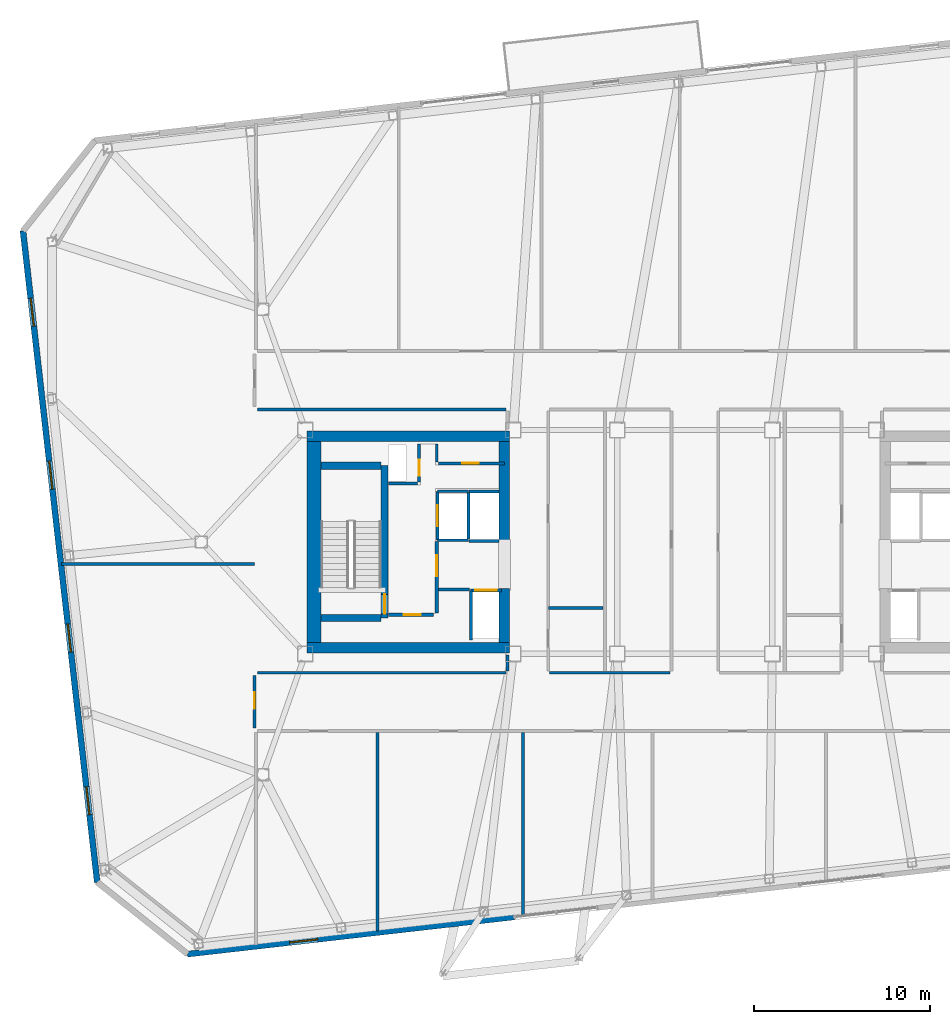
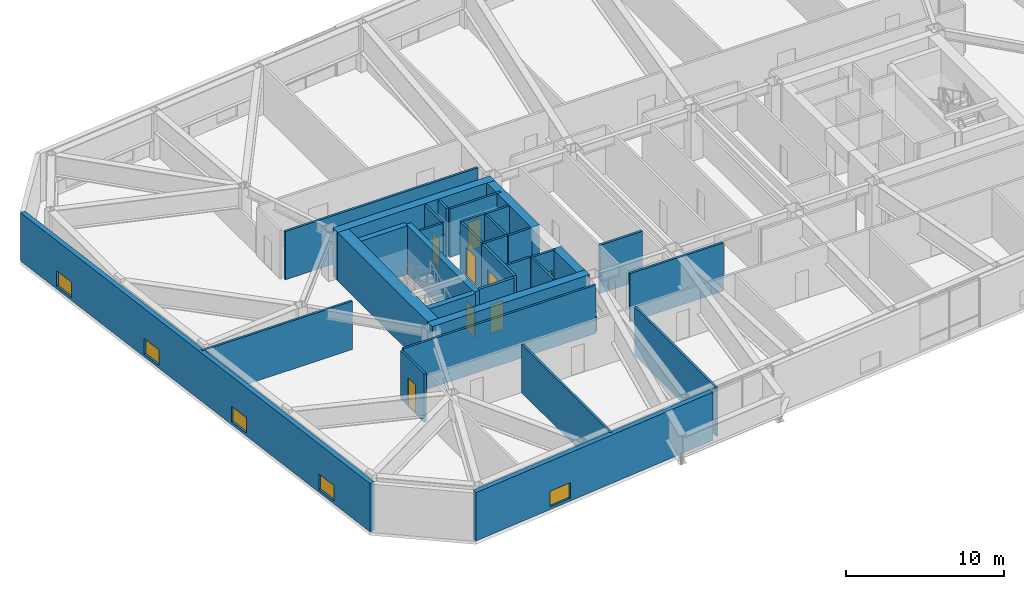
# One storey, part 12 of 20: 34 walls, 8 doors, 5 windows, 13 openings.
"""IFC4 building model written with IfcOpenShell, lengths in metres."""

from ifc_helpers import new_model, si_unit, direction, frame, frame_2d, origin, place, context, subcontext, project, spatial, rectangle, extrude, material, layer, layer_set, type_object, element, fill, save


model = new_model("IFC4")

# Units and contexts
model_context = context("Model", 3, precision=1e-05, world=origin(), true_north=direction((0.0, 1.0)))
body_context = subcontext(model_context, "Body", "Model", "MODEL_VIEW")
ifc_project = project(units=[si_unit("LENGTHUNIT", "METRE"), si_unit("AREAUNIT", "SQUARE_METRE"), si_unit("VOLUMEUNIT", "CUBIC_METRE"), si_unit("PLANEANGLEUNIT", "RADIAN"), si_unit("MASSUNIT", "GRAM", prefix="KILO")], contexts=[model_context])

# Site, building, storey
site_placement = place(None, origin())
site = spatial("IfcSite", under=ifc_project, at=site_placement, CompositionType="ELEMENT")
building_placement = place(site_placement, origin())
building = spatial("IfcBuilding", under=site, at=building_placement, Name="Tavrogorsk Clinical Tower", CompositionType="ELEMENT")
storey_placement = place(building_placement, frame((0.0, 0.0, 214.199951171875)))
storey = spatial("IfcBuildingStorey", under=building, at=storey_placement, Name="L49", CompositionType="ELEMENT", Elevation=214.199951171875)

# Wall, opening, door
ifc_material_1 = material(Name="Concrete B60", Category="concrete")
ifc_layer_1 = layer(ifc_material_1, 0.199951171875)
ifc_layer_set_1 = layer_set([ifc_layer_1], Name="Concrete B60")
wall_type_1 = type_object("IfcWallType", Name="CoreFireWall_200", PredefinedType="SOLIDWALL", material=ifc_layer_set_1)
wall_1_placement = place(storey_placement, frame((-17.3798828125, -4.139892578125, 0.0), z_axis=(0.0, 0.0, 1.0), x_axis=(1.0, 0.0, 0.0)))
wall_1 = element("IfcWall", 1, at=wall_1_placement, inside=storey, type_object=wall_type_1, Name="L49 Core West South Core Room Fire Wall", PredefinedType="SOLIDWALL", context=body_context, shape_type="SweptSolid", body=[
    extrude(rectangle(XDim=2.554931640625, YDim=0.199951171875, at=frame_2d((1.27734375, 0.0))), origin(), (0.0, 0.0, 1.0), 3.739990234375),
])
opening_1_placement = place(wall_1_placement, frame((0.8798828125, 0.0, 0.0)))
opening_1 = element("IfcOpeningElement", 2, at=opening_1_placement, cuts=wall_1, Name="Opening ID-02", PredefinedType="OPENING", context=body_context, shape_type="SweptSolid", body=[
    extrude(rectangle(XDim=0.949951171875, YDim=2.199951171875, at=frame_2d((0.47509765625, 1.10009765625))), frame((0.0, 0.10986328125, 0.0), z_axis=(0.0, -1.0, 0.0), x_axis=(1.0, 0.0, 0.0)), (0.0, 0.0, 1.0), 0.219970703125),
])
ifc_material_2 = material(Name="Laminated timber leaf on aluminium frame", Category="wood")
door_type_1 = type_object("IfcDoorType", Name="InteriorDoor_ID02_950", OperationType="NOTDEFINED", PredefinedType="DOOR", material=ifc_material_2)
door_1_placement = place(opening_1_placement, origin())
door_1 = element("IfcDoor", 3, at=door_1_placement, inside=storey, type_object=door_type_1, Name="L49 Core West South Core Room Door", OperationType="SINGLE_SWING_RIGHT", OverallHeight=2.199951171875, OverallWidth=0.949951171875, PredefinedType="DOOR", context=body_context, shape_type="SweptSolid", body=[
    extrude(rectangle(XDim=0.949951171875, YDim=2.199951171875, at=frame_2d((0.47509765625, 1.10009765625))), frame((0.0, 0.02490234375, 0.0), z_axis=(0.0, -1.0, 0.0), x_axis=(1.0, 0.0, 0.0)), (0.0, 0.0, 1.0), 0.050048828125),
])
fill(opening_1, door_1)

wall_2_placement = place(storey_placement, frame((-14.639892578125, -4.034912109375, 0.0), z_axis=(0.0, 0.0, 1.0), x_axis=(0.0, 1.0, 0.0)))
wall_2 = element("IfcWall", 4, at=wall_2_placement, inside=storey, type_object=wall_type_1, Name="L49 Core West Firefighting Lobby Fire Wall", PredefinedType="SOLIDWALL", context=body_context, shape_type="SweptSolid", body=[
    extrude(rectangle(XDim=4.074951171875, YDim=0.199951171875, at=frame_2d((2.03759765625, 0.0))), origin(), (0.0, 0.0, 1.0), 3.739990234375),
])
opening_2_placement = place(wall_2_placement, frame((2.090087890625, 0.0, 0.0)))
opening_2 = element("IfcOpeningElement", 5, at=opening_2_placement, cuts=wall_2, Name="Opening FD-01", PredefinedType="OPENING", context=body_context, shape_type="SweptSolid", body=[
    extrude(rectangle(XDim=1.199951171875, YDim=2.199951171875, at=frame_2d((0.60009765625, 1.10009765625))), frame((0.0, 0.10986328125, 0.0), z_axis=(0.0, -1.0, 0.0), x_axis=(1.0, 0.0, 0.0)), (0.0, 0.0, 1.0), 0.219970703125),
])
ifc_material_3 = material(Name="Galvanised steel fire-rated door assembly", Category="steel")
door_type_2 = type_object("IfcDoorType", Name="FireDoor_FD01_1200", OperationType="NOTDEFINED", PredefinedType="DOOR", material=ifc_material_3)
door_2_placement = place(opening_2_placement, origin())
door_2 = element("IfcDoor", 6, at=door_2_placement, inside=storey, type_object=door_type_2, Name="L49 Core West Firefighting Lobby Entry Door", OperationType="SINGLE_SWING_RIGHT", OverallHeight=2.199951171875, OverallWidth=1.199951171875, PredefinedType="DOOR", context=body_context, shape_type="SweptSolid", body=[
    extrude(rectangle(XDim=1.199951171875, YDim=2.199951171875, at=frame_2d((0.60009765625, 1.10009765625))), frame((0.0, 0.02490234375, 0.0), z_axis=(0.0, -1.0, 0.0), x_axis=(1.0, 0.0, 0.0)), (0.0, 0.0, 1.0), 0.050048828125),
])
fill(opening_2, door_2)

# Wall
ifc_material_4 = material(Name="Lightweight concrete blockwork B15", Category="masonry")
ifc_layer_2 = layer(ifc_material_4, 0.159912109375)
ifc_layer_set_2 = layer_set([ifc_layer_2], Name="Lightweight concrete blockwork B15")
wall_type_2 = type_object("IfcWallType", Name="PartitionWall_160", PredefinedType="PARTITIONING", material=ifc_layer_set_2)
wall_3_placement = place(storey_placement, frame((-14.534912109375, -2.699951171875, 0.0), z_axis=(0.0, 0.0, 1.0), x_axis=(1.0, 0.0, 0.0)))
element("IfcWall", 7, at=wall_3_placement, inside=storey, type_object=wall_type_2, Name="L49 Core West Freed Low-Bank North Partition", PredefinedType="PARTITIONING", context=body_context, shape_type="SweptSolid", body=[
    extrude(rectangle(XDim=1.760009765625, YDim=0.159912109375, at=frame_2d((0.8798828125, 0.0))), origin(), (0.0, 0.0, 1.0), 3.739990234375),
])

# Wall, opening, door
wall_4_placement = place(storey_placement, frame((-14.554931640625, 4.4599609375, 0.0), z_axis=(0.0, 0.0, 1.0), x_axis=(1.0, 0.0, 0.0)))
wall_4 = element("IfcWall", 8, at=wall_4_placement, inside=storey, type_object=wall_type_2, Name="L49 Core West Pneumatic Dispatch South Wall", PredefinedType="PARTITIONING", context=body_context, shape_type="SweptSolid", body=[
    extrude(rectangle(XDim=3.7548828125, YDim=0.159912109375, at=frame_2d((1.87744140625, 0.0))), origin(), (0.0, 0.0, 1.0), 3.739990234375),
])
opening_3_placement = place(wall_4_placement, frame((1.35009765625, 0.0, 0.0)))
opening_3 = element("IfcOpeningElement", 9, at=opening_3_placement, cuts=wall_4, Name="Opening ID-02", PredefinedType="OPENING", context=body_context, shape_type="SweptSolid", body=[
    extrude(rectangle(XDim=0.949951171875, YDim=2.199951171875, at=frame_2d((0.47509765625, 1.10009765625))), frame((0.0, 0.08984375, 0.0), z_axis=(0.0, -1.0, 0.0), x_axis=(1.0, 0.0, 0.0)), (0.0, 0.0, 1.0), 0.179931640625),
])
door_3_placement = place(opening_3_placement, origin())
door_3 = element("IfcDoor", 10, at=door_3_placement, inside=storey, type_object=door_type_1, Name="L49 Core West Pneumatic Dispatch Door", OperationType="SINGLE_SWING_LEFT", OverallHeight=2.199951171875, OverallWidth=0.949951171875, PredefinedType="DOOR", context=body_context, shape_type="SweptSolid", body=[
    extrude(rectangle(XDim=0.949951171875, YDim=2.199951171875, at=frame_2d((0.47509765625, 1.10009765625))), frame((0.0, 0.02490234375, 0.0), z_axis=(0.0, -1.0, 0.0), x_axis=(1.0, 0.0, 0.0)), (0.0, 0.0, 1.0), 0.050048828125),
])
fill(opening_3, door_3)

# Wall
wall_5_placement = place(storey_placement, frame((-14.639892578125, 4.544921875, 0.0), z_axis=(0.0, 0.0, 1.0), x_axis=(0.0, 1.0, 0.0)))
element("IfcWall", 11, at=wall_5_placement, inside=storey, type_object=wall_type_2, Name="L49 Core West Pneumatic Dispatch East Wall", PredefinedType="PARTITIONING", context=body_context, shape_type="SweptSolid", body=[
    extrude(rectangle(XDim=1.01513671875, YDim=0.159912109375, at=frame_2d((0.507568359375, 0.0))), origin(), (0.0, 0.0, 1.0), 3.739990234375),
])

# Wall, opening, door
wall_6_placement = place(storey_placement, frame((-24.97998046875, -10.56494140625, 0.0), z_axis=(0.0, 0.0, 1.0), x_axis=(0.0, 1.0, 0.0)))
wall_6 = element("IfcWall", 12, at=wall_6_placement, inside=storey, type_object=wall_type_2, Name="L49 Corridor Partition 01", PredefinedType="PARTITIONING", context=body_context, shape_type="SweptSolid", body=[
    extrude(rectangle(XDim=2.97998046875, YDim=0.159912109375, at=frame_2d((1.489990234375, 0.0))), origin(), (0.0, 0.0, 1.0), 3.739990234375),
])
opening_4_placement = place(wall_6_placement, frame((1.10009765625, 0.0, 0.0)))
opening_4 = element("IfcOpeningElement", 13, at=opening_4_placement, cuts=wall_6, Name="Opening ID-02", PredefinedType="OPENING", context=body_context, shape_type="SweptSolid", body=[
    extrude(rectangle(XDim=0.949951171875, YDim=2.199951171875, at=frame_2d((0.47509765625, 1.10009765625))), frame((0.0, 0.08984375, 0.0), z_axis=(0.0, -1.0, 0.0), x_axis=(1.0, 0.0, 0.0)), (0.0, 0.0, 1.0), 0.179931640625),
])
door_4_placement = place(opening_4_placement, origin())
door_4 = element("IfcDoor", 14, at=door_4_placement, inside=storey, type_object=door_type_1, Name="L49 W Solarium Day Room & Lounge 1 Door", OperationType="SINGLE_SWING_LEFT", OverallHeight=2.199951171875, OverallWidth=0.949951171875, PredefinedType="DOOR", context=body_context, shape_type="SweptSolid", body=[
    extrude(rectangle(XDim=0.949951171875, YDim=2.199951171875, at=frame_2d((0.47509765625, 1.10009765625))), frame((0.0, 0.02490234375, 0.0), z_axis=(0.0, -1.0, 0.0), x_axis=(1.0, 0.0, 0.0)), (0.0, 0.0, 1.0), 0.050048828125),
])
fill(opening_4, door_4)

# Walls
wall_7_placement = place(storey_placement, frame((-24.81494140625, -7.419921875, 0.0), z_axis=(0.0, 0.0, 1.0), x_axis=(1.0, 0.0, 0.0)))
element("IfcWall", 15, at=wall_7_placement, inside=storey, type_object=wall_type_2, Name="L49 Corridor Partition 02", PredefinedType="PARTITIONING", context=body_context, shape_type="SweptSolid", body=[
    extrude(rectangle(XDim=14.099853515625, YDim=0.159912109375, at=frame_2d((7.0498046875, 0.0))), origin(), (0.0, 0.0, 1.0), 3.739990234375),
])
wall_8_placement = place(storey_placement, frame((-10.6298828125, -7.3349609375, 0.0), z_axis=(0.0, 0.0, 1.0), x_axis=(0.0, 1.0, 0.0)))
element("IfcWall", 16, at=wall_8_placement, inside=storey, type_object=wall_type_2, Name="L49 Corridor Partition 03", PredefinedType="PARTITIONING", context=body_context, shape_type="SweptSolid", body=[
    extrude(rectangle(XDim=0.9150390625, YDim=0.159912109375, at=frame_2d((0.45751953125, 0.0))), origin(), (0.0, 0.0, 1.0), 1.53515625),
])
wall_9_placement = place(storey_placement, frame((-10.715087890625, 7.52001953125, 0.0), z_axis=(0.0, 0.0, 1.0), x_axis=(-1.0, 0.0, 0.0)))
element("IfcWall", 17, at=wall_9_placement, inside=storey, type_object=wall_type_2, Name="L49 Corridor Partition 05", PredefinedType="PARTITIONING", context=body_context, shape_type="SweptSolid", body=[
    extrude(rectangle(XDim=14.099853515625, YDim=0.159912109375, at=frame_2d((7.0498046875, 0.0))), origin(), (0.0, 0.0, 1.0), 3.739990234375),
])
wall_10_placement = place(storey_placement, frame((-8.235107421875, -7.419921875, 0.0), z_axis=(0.0, 0.0, 1.0), x_axis=(1.0, 0.0, 0.0)))
element("IfcWall", 18, at=wall_10_placement, inside=storey, type_object=wall_type_2, Name="L49 Corridor Partition 22", PredefinedType="PARTITIONING", context=body_context, shape_type="SweptSolid", body=[
    extrude(rectangle(XDim=6.820068359375, YDim=0.159912109375, at=frame_2d((3.41015625, 0.0))), origin(), (0.0, 0.0, 1.0), 3.739990234375),
])
wall_11_placement = place(storey_placement, frame((-18.0, -22.087158203125, 0.0), z_axis=(0.0, 0.0, 1.0), x_axis=(0.0, 1.0, 0.0)))
element("IfcWall", 19, at=wall_11_placement, inside=storey, type_object=wall_type_2, Name="L49 South Room Partition 1", PredefinedType="PARTITIONING", context=body_context, shape_type="SweptSolid", body=[
    extrude(rectangle(XDim=11.272216796875, YDim=0.159912109375, at=frame_2d((5.63623046875, 0.0))), origin(), (0.0, 0.0, 1.0), 3.739990234375),
])
wall_12_placement = place(storey_placement, frame((-9.75, -21.147216796875, 0.0), z_axis=(0.0, 0.0, 1.0), x_axis=(0.0, 1.0, 0.0)))
element("IfcWall", 20, at=wall_12_placement, inside=storey, type_object=wall_type_2, Name="L49 South Sub-Partition 2", PredefinedType="PARTITIONING", context=body_context, shape_type="SweptSolid", body=[
    extrude(rectangle(XDim=10.332275390625, YDim=0.159912109375, at=frame_2d((5.166015625, 0.0))), origin(), (0.0, 0.0, 1.0), 3.739990234375),
])
wall_13_placement = place(storey_placement, frame((-35.944580078125, -1.25, 0.0), z_axis=(0.0, 0.0, 1.0), x_axis=(1.0, 0.0, 0.0)))
element("IfcWall", 21, at=wall_13_placement, inside=storey, type_object=wall_type_2, Name="L49 W Wing Divider 1", PredefinedType="PARTITIONING", context=body_context, shape_type="SweptSolid", body=[
    extrude(rectangle(XDim=10.964599609375, YDim=0.159912109375, at=frame_2d((5.482421875, 0.0))), origin(), (0.0, 0.0, 1.0), 3.739990234375),
])
ifc_material_5 = material(Name="Lightweight concrete blockwork B20", Category="masonry")
ifc_layer_3 = layer(ifc_material_5, 0.179931640625)
ifc_layer_set_3 = layer_set([ifc_layer_3], Name="Lightweight concrete blockwork B20")
wall_type_3 = type_object("IfcWallType", Name="PartitionWall_180", PredefinedType="PARTITIONING", material=ifc_layer_set_3)
wall_14_placement = place(storey_placement, frame((-8.31494140625, -3.75, 0.0), z_axis=(0.0, 0.0, 1.0), x_axis=(1.0, 0.0, 0.0)))
element("IfcWall", 22, at=wall_14_placement, inside=storey, type_object=wall_type_3, Name="L49 Central Spine Partition 3", PredefinedType="PARTITIONING", context=body_context, shape_type="SweptSolid", body=[
    extrude(rectangle(XDim=3.119873046875, YDim=0.179931640625, at=frame_2d((1.56005859375, 0.0))), origin(), (0.0, 0.0, 1.0), 3.739990234375),
])

# Wall, opening, window
ifc_material_6 = material(Name="Precast concrete B45 with limestone cladding", Category="masonry")
ifc_layer_4 = layer(ifc_material_6, 0.340087890625)
ifc_layer_set_4 = layer_set([ifc_layer_4], Name="Precast concrete B45 with limestone cladding")
wall_type_4 = type_object("IfcWallType", Name="PrecastLimestoneWall_340", PredefinedType="STANDARD", material=ifc_layer_set_4)
wall_15_placement = place(storey_placement, frame((-28.78271484375, -23.38623046875, 0.0), z_axis=(0.0, 0.0, 1.0), x_axis=(0.993572271362, 0.113199565282, 0.0)))
wall_15 = element("IfcWall", 23, at=wall_15_placement, inside=storey, type_object=wall_type_4, Name="L49 S Limestone Facade Wall 1", PredefinedType="STANDARD", context=body_context, shape_type="SweptSolid", body=[
    extrude(rectangle(XDim=18.6513671875, YDim=0.340087890625, at=frame_2d((9.32568359375, 0.0))), origin(), (0.0, 0.0, 1.0), 3.739990234375),
])
opening_5_placement = place(wall_15_placement, frame((5.82861328125, 0.0, 0.219970703125)))
opening_5 = element("IfcOpeningElement", 24, at=opening_5_placement, cuts=wall_15, Name="Opening WN-09", PredefinedType="OPENING", context=body_context, shape_type="SweptSolid", body=[
    extrude(rectangle(XDim=1.60009765625, YDim=1.199951171875, at=frame_2d((0.800048828125, 0.60009765625))), frame((0.0, 0.179931640625, 0.0), z_axis=(0.0, -1.0, 0.0), x_axis=(1.0, 0.0, 0.0)), (0.0, 0.0, 1.0), 0.360107421875),
])
ifc_material_7 = material(Name="Thermally broken aluminium frame and triple IGU", Category="aluminium")
window_type = type_object("IfcWindowType", Name="LowHeadTransWin_1600x1200", PartitioningType="DOUBLE_PANEL_VERTICAL", PredefinedType="WINDOW", material=ifc_material_7)
window_1_placement = place(opening_5_placement, origin())
window_1 = element("IfcWindow", 25, at=window_1_placement, inside=storey, type_object=window_type, Name="L49 S Chicago Window 02", OverallHeight=1.199951171875, OverallWidth=1.60009765625, PartitioningType="SINGLE_PANEL", PredefinedType="WINDOW", context=body_context, shape_type="SweptSolid", body=[
    extrude(rectangle(XDim=1.60009765625, YDim=1.199951171875, at=frame_2d((0.800048828125, 0.60009765625))), frame((0.0, 0.030029296875, 0.0), z_axis=(0.0, -1.0, 0.0), x_axis=(1.0, 0.0, 0.0)), (0.0, 0.0, 1.0), 0.06005859375),
])
fill(opening_5, window_1)

# Wall, openings, windows
wall_16_placement = place(storey_placement, frame((-38.1181640625, 17.65087890625, 0.0), z_axis=(0.0, 0.0, 1.0), x_axis=(0.11320360501, -0.9935718111, 0.0)))
wall_16 = element("IfcWall", 26, at=wall_16_placement, inside=storey, type_object=wall_type_4, Name="L49 W Pleated Limestone Wing Wall", PredefinedType="STANDARD", context=body_context, shape_type="SweptSolid", body=[
    extrude(rectangle(XDim=37.199951171875, YDim=0.340087890625, at=frame_2d((18.60009765625, 0.0))), origin(), (0.0, 0.0, 1.0), 3.739990234375),
])
opening_6_placement = place(wall_16_placement, frame((3.85009765625, 0.0, 0.219970703125)))
opening_6 = element("IfcOpeningElement", 27, at=opening_6_placement, cuts=wall_16, Name="Opening WN-09", PredefinedType="OPENING", context=body_context, shape_type="SweptSolid", body=[
    extrude(rectangle(XDim=1.60009765625, YDim=1.199951171875, at=frame_2d((0.800048828125, 0.60009765625))), frame((0.0, 0.179931640625, 0.0), z_axis=(0.0, -1.0, 0.0), x_axis=(1.0, 0.0, 0.0)), (0.0, 0.0, 1.0), 0.360107421875),
])
opening_7_placement = place(wall_16_placement, frame((13.14990234375, 0.0, 0.219970703125)))
opening_7 = element("IfcOpeningElement", 28, at=opening_7_placement, cuts=wall_16, Name="Opening WN-09", PredefinedType="OPENING", context=body_context, shape_type="SweptSolid", body=[
    extrude(rectangle(XDim=1.60009765625, YDim=1.199951171875, at=frame_2d((0.800048828125, 0.60009765625))), frame((0.0, 0.179931640625, 0.0), z_axis=(0.0, -1.0, 0.0), x_axis=(1.0, 0.0, 0.0)), (0.0, 0.0, 1.0), 0.360107421875),
])
opening_8_placement = place(wall_16_placement, frame((22.449951171875, 0.0, 0.219970703125)))
opening_8 = element("IfcOpeningElement", 29, at=opening_8_placement, cuts=wall_16, Name="Opening WN-09", PredefinedType="OPENING", context=body_context, shape_type="SweptSolid", body=[
    extrude(rectangle(XDim=1.60009765625, YDim=1.199951171875, at=frame_2d((0.800048828125, 0.60009765625))), frame((0.0, 0.179931640625, 0.0), z_axis=(0.0, -1.0, 0.0), x_axis=(1.0, 0.0, 0.0)), (0.0, 0.0, 1.0), 0.360107421875),
])
opening_9_placement = place(wall_16_placement, frame((31.75, 0.0, 0.219970703125)))
opening_9 = element("IfcOpeningElement", 30, at=opening_9_placement, cuts=wall_16, Name="Opening WN-09", PredefinedType="OPENING", context=body_context, shape_type="SweptSolid", body=[
    extrude(rectangle(XDim=1.60009765625, YDim=1.199951171875, at=frame_2d((0.800048828125, 0.60009765625))), frame((0.0, 0.179931640625, 0.0), z_axis=(0.0, -1.0, 0.0), x_axis=(1.0, 0.0, 0.0)), (0.0, 0.0, 1.0), 0.360107421875),
])
window_2_placement = place(opening_6_placement, origin())
window_2 = element("IfcWindow", 31, at=window_2_placement, inside=storey, type_object=window_type, Name="L49 W Pleat Slot Window 1", OverallHeight=1.199951171875, OverallWidth=1.60009765625, PartitioningType="SINGLE_PANEL", PredefinedType="WINDOW", context=body_context, shape_type="SweptSolid", body=[
    extrude(rectangle(XDim=1.60009765625, YDim=1.199951171875, at=frame_2d((0.800048828125, 0.60009765625))), frame((0.0, 0.030029296875, 0.0), z_axis=(0.0, -1.0, 0.0), x_axis=(1.0, 0.0, 0.0)), (0.0, 0.0, 1.0), 0.06005859375),
])
fill(opening_6, window_2)
window_3_placement = place(opening_7_placement, origin())
window_3 = element("IfcWindow", 32, at=window_3_placement, inside=storey, type_object=window_type, Name="L49 W Pleat Slot Window 2", OverallHeight=1.199951171875, OverallWidth=1.60009765625, PartitioningType="SINGLE_PANEL", PredefinedType="WINDOW", context=body_context, shape_type="SweptSolid", body=[
    extrude(rectangle(XDim=1.60009765625, YDim=1.199951171875, at=frame_2d((0.800048828125, 0.60009765625))), frame((0.0, 0.030029296875, 0.0), z_axis=(0.0, -1.0, 0.0), x_axis=(1.0, 0.0, 0.0)), (0.0, 0.0, 1.0), 0.06005859375),
])
fill(opening_7, window_3)
window_4_placement = place(opening_8_placement, origin())
window_4 = element("IfcWindow", 33, at=window_4_placement, inside=storey, type_object=window_type, Name="L49 W Pleat Slot Window 3", OverallHeight=1.199951171875, OverallWidth=1.60009765625, PartitioningType="SINGLE_PANEL", PredefinedType="WINDOW", context=body_context, shape_type="SweptSolid", body=[
    extrude(rectangle(XDim=1.60009765625, YDim=1.199951171875, at=frame_2d((0.800048828125, 0.60009765625))), frame((0.0, 0.030029296875, 0.0), z_axis=(0.0, -1.0, 0.0), x_axis=(1.0, 0.0, 0.0)), (0.0, 0.0, 1.0), 0.06005859375),
])
fill(opening_8, window_4)
window_5_placement = place(opening_9_placement, origin())
window_5 = element("IfcWindow", 34, at=window_5_placement, inside=storey, type_object=window_type, Name="L49 W Pleat Slot Window 4", OverallHeight=1.199951171875, OverallWidth=1.60009765625, PartitioningType="SINGLE_PANEL", PredefinedType="WINDOW", context=body_context, shape_type="SweptSolid", body=[
    extrude(rectangle(XDim=1.60009765625, YDim=1.199951171875, at=frame_2d((0.800048828125, 0.60009765625))), frame((0.0, 0.030029296875, 0.0), z_axis=(0.0, -1.0, 0.0), x_axis=(1.0, 0.0, 0.0)), (0.0, 0.0, 1.0), 0.06005859375),
])
fill(opening_9, window_5)

# Wall, opening, door
ifc_material_8 = material(Name="Lightweight concrete blockwork B25", Category="masonry")
ifc_layer_5 = layer(ifc_material_8, 0.159912109375)
ifc_layer_set_5 = layer_set([ifc_layer_5], Name="Lightweight concrete blockwork B25")
wall_type_5 = type_object("IfcWallType", Name="ShaftWall_160", PredefinedType="PARTITIONING", material=ifc_layer_set_5)
wall_17_placement = place(storey_placement, frame((-14.60009765625, 0.1201171875, 0.0), z_axis=(0.0, 0.0, 1.0), x_axis=(0.0, 1.0, 0.0)))
wall_17 = element("IfcWall", 35, at=wall_17_placement, inside=storey, type_object=wall_type_5, Name="L49 FFL-W Firefighting Lift Front Wall", PredefinedType="PARTITIONING", context=body_context, shape_type="SweptSolid", body=[
    extrude(rectangle(XDim=2.739990234375, YDim=0.159912109375, at=frame_2d((1.3701171875, 0.0))), origin(), (0.0, 0.0, 1.0), 3.739990234375),
])
opening_10_placement = place(wall_17_placement, frame((0.77001953125, 0.0, 0.0)))
opening_10 = element("IfcOpeningElement", 36, at=opening_10_placement, cuts=wall_17, Name="Opening LD", PredefinedType="OPENING", context=body_context, shape_type="SweptSolid", body=[
    extrude(rectangle(XDim=1.199951171875, YDim=2.199951171875, at=frame_2d((0.60009765625, 1.10009765625))), frame((0.0, 0.08984375, 0.0), z_axis=(0.0, -1.0, 0.0), x_axis=(1.0, 0.0, 0.0)), (0.0, 0.0, 1.0), 0.179931640625),
])
ifc_material_9 = material(Name="Brushed stainless steel AISI 304 sliding doors", Category="steel")
door_type_3 = type_object("IfcDoorType", Name="LiftLandingDoor_LD_1200", OperationType="SLIDING_TO_LEFT", PredefinedType="DOOR", material=ifc_material_9)
door_5_placement = place(opening_10_placement, origin())
door_5 = element("IfcDoor", 37, at=door_5_placement, inside=storey, type_object=door_type_3, Name="L49 FFL-W Sliding Lift Landing Door", OperationType="SLIDING_TO_LEFT", OverallHeight=2.199951171875, OverallWidth=1.199951171875, PredefinedType="DOOR", context=body_context, shape_type="SweptSolid", body=[
    extrude(rectangle(XDim=1.199951171875, YDim=2.199951171875, at=frame_2d((0.60009765625, 1.10009765625))), frame((0.0, 0.02490234375, 0.0), z_axis=(0.0, -1.0, 0.0), x_axis=(1.0, 0.0, 0.0)), (0.0, 0.0, 1.0), 0.050048828125),
])
fill(opening_10, door_5)

# Walls
for number, where, z_axis, x_axis, name in (
    (38, (-14.60009765625, 0.10009765625, 0.0), (0.0, 0.0, 1.0), (1.0, 0.0, 0.0), "L49 FFL-W Shaft South Wall"),
    (39, (-14.60009765625, 2.8798828125, 0.0), (0.0, 0.0, 1.0), (1.0, 0.0, 0.0), "L49 FFL-W Shaft North Wall"),
):
    element("IfcWall", number, at=place(storey_placement, frame(where, z_axis=z_axis, x_axis=x_axis)), inside=storey, type_object=wall_type_5, Name=name, PredefinedType="PARTITIONING", context=body_context, shape_type="SweptSolid", body=[
        extrude(rectangle(XDim=1.760009765625, YDim=0.159912109375, at=frame_2d((0.8798828125, 0.0))), origin(), (0.0, 0.0, 1.0), 3.739990234375),
    ])
wall_18_placement = place(storey_placement, frame((-12.840087890625, 0.179931640625, 0.0), z_axis=(0.0, 0.0, 1.0), x_axis=(0.0, 1.0, 0.0)))
element("IfcWall", 40, at=wall_18_placement, inside=storey, type_object=wall_type_5, Name="L49 FFL-W Shaft Back Wall", PredefinedType="PARTITIONING", context=body_context, shape_type="SweptSolid", body=[
    extrude(rectangle(XDim=2.6201171875, YDim=0.159912109375, at=frame_2d((1.31005859375, 0.0))), origin(), (0.0, 0.0, 1.0), 3.739990234375),
])

# Wall, opening, door
wall_19_placement = place(storey_placement, frame((-12.72998046875, -2.75, 0.0), z_axis=(0.0, 0.0, 1.0), x_axis=(1.0, 0.0, 0.0)))
wall_19 = element("IfcWall", 41, at=wall_19_placement, inside=storey, type_object=wall_type_5, Name="L49 LP-M1 Lift Shaft Portal Wall", PredefinedType="PARTITIONING", context=body_context, shape_type="SweptSolid", body=[
    extrude(rectangle(XDim=1.760009765625, YDim=0.159912109375, at=frame_2d((0.8798828125, 0.0))), origin(), (0.0, 0.0, 1.0), 3.739990234375),
])
opening_11_placement = place(wall_19_placement, frame((0.280029296875, 0.0, 0.0)))
opening_11 = element("IfcOpeningElement", 42, at=opening_11_placement, cuts=wall_19, Name="Opening LD", PredefinedType="OPENING", context=body_context, shape_type="SweptSolid", body=[
    extrude(rectangle(XDim=1.199951171875, YDim=2.199951171875, at=frame_2d((0.60009765625, 1.10009765625))), frame((0.0, 0.08984375, 0.0), z_axis=(0.0, -1.0, 0.0), x_axis=(1.0, 0.0, 0.0)), (0.0, 0.0, 1.0), 0.179931640625),
])
door_6_placement = place(opening_11_placement, origin())
door_6 = element("IfcDoor", 43, at=door_6_placement, inside=storey, type_object=door_type_3, Name="L49 LP-M1 Sliding Lift Landing Door", OperationType="SLIDING_TO_LEFT", OverallHeight=2.199951171875, OverallWidth=1.199951171875, PredefinedType="DOOR", context=body_context, shape_type="SweptSolid", body=[
    extrude(rectangle(XDim=1.199951171875, YDim=2.199951171875, at=frame_2d((0.60009765625, 1.10009765625))), frame((0.0, 0.02490234375, 0.0), z_axis=(0.0, -1.0, 0.0), x_axis=(1.0, 0.0, 0.0)), (0.0, 0.0, 1.0), 0.050048828125),
])
fill(opening_11, door_6)

# Walls
for number, where, z_axis, x_axis, name in (
    (44, (-12.820068359375, 0.06005859375, 0.0), (0.0, 0.0, 1.0), (1.0, 0.0, 0.0), "L49 LP-H1 High-Zone Lift Portal Wall"),
    (45, (-12.820068359375, 2.860107421875, 0.0), (0.0, 0.0, 1.0), (1.0, 0.0, 0.0), "L49 LP-H1 High-Zone Lift Rear Wall"),
):
    element("IfcWall", number, at=place(storey_placement, frame(where, z_axis=z_axis, x_axis=x_axis)), inside=storey, type_object=wall_type_5, Name=name, PredefinedType="PARTITIONING", context=body_context, shape_type="SweptSolid", body=[
        extrude(rectangle(XDim=1.719970703125, YDim=0.159912109375, at=frame_2d((0.85986328125, 0.0))), origin(), (0.0, 0.0, 1.0), 3.739990234375),
    ])

# Wall, opening, door
wall_20_placement = place(storey_placement, frame((-15.639892578125, 3.405029296875, 0.0), z_axis=(0.0, 0.0, 1.0), x_axis=(0.0, 1.0, 0.0)))
wall_20 = element("IfcWall", 46, at=wall_20_placement, inside=storey, type_object=wall_type_5, Name="L49 Core West Riser West Wall", PredefinedType="PARTITIONING", context=body_context, shape_type="SweptSolid", body=[
    extrude(rectangle(XDim=2.155029296875, YDim=0.159912109375, at=frame_2d((1.07763671875, 0.0))), origin(), (0.0, 0.0, 1.0), 3.739990234375),
])
opening_12_placement = place(wall_20_placement, frame((0.35009765625, 0.0, 0.0)))
opening_12 = element("IfcOpeningElement", 47, at=opening_12_placement, cuts=wall_20, Name="Opening FD-02", PredefinedType="OPENING", context=body_context, shape_type="SweptSolid", body=[
    extrude(rectangle(XDim=0.89990234375, YDim=2.199951171875, at=frame_2d((0.449951171875, 1.10009765625))), frame((0.0, 0.08984375, 0.0), z_axis=(0.0, -1.0, 0.0), x_axis=(1.0, 0.0, 0.0)), (0.0, 0.0, 1.0), 0.179931640625),
])
ifc_material_10 = material(Name="Galvanised steel fire-rated door assembly", Category="steel")
door_type_4 = type_object("IfcDoorType", Name="FireDoor_FD02_900", OperationType="NOTDEFINED", PredefinedType="DOOR", material=ifc_material_10)
door_7_placement = place(opening_12_placement, origin())
door_7 = element("IfcDoor", 48, at=door_7_placement, inside=storey, type_object=door_type_4, Name="L49 Core West Electrical Riser Access Door", OperationType="SINGLE_SWING_LEFT", OverallHeight=2.199951171875, OverallWidth=0.89990234375, PredefinedType="DOOR", context=body_context, shape_type="SweptSolid", body=[
    extrude(rectangle(XDim=0.89990234375, YDim=2.199951171875, at=frame_2d((0.449951171875, 1.10009765625))), frame((0.0, 0.02490234375, 0.0), z_axis=(0.0, -1.0, 0.0), x_axis=(1.0, 0.0, 0.0)), (0.0, 0.0, 1.0), 0.050048828125),
])
fill(opening_12, door_7)

# Walls
wall_21_placement = place(storey_placement, frame((-17.3798828125, 3.320068359375, 0.0), z_axis=(0.0, 0.0, 1.0), x_axis=(1.0, 0.0, 0.0)))
element("IfcWall", 49, at=wall_21_placement, inside=storey, type_object=wall_type_5, Name="L49 Core West Riser South Wall", PredefinedType="PARTITIONING", context=body_context, shape_type="SweptSolid", body=[
    extrude(rectangle(XDim=1.65478515625, YDim=0.159912109375, at=frame_2d((0.827392578125, 0.0))), origin(), (0.0, 0.0, 1.0), 3.739990234375),
])
wall_22_placement = place(storey_placement, frame((-12.68994140625, -5.56005859375, 0.0), z_axis=(0.0, 0.0, 1.0), x_axis=(0.0, 1.0, 0.0)))
element("IfcWall", 50, at=wall_22_placement, inside=storey, type_object=wall_type_5, Name="L49 Core West Freed Low-Bank Shaft Divider", PredefinedType="PARTITIONING", context=body_context, shape_type="SweptSolid", body=[
    extrude(rectangle(XDim=2.775146484375, YDim=0.159912109375, at=frame_2d((1.3876953125, 0.0))), origin(), (0.0, 0.0, 1.0), 3.739990234375),
])

# Wall, opening, door
ifc_material_11 = material(Name="Concrete B80", Category="concrete")
ifc_layer_6 = layer(ifc_material_11, 0.39990234375)
ifc_layer_set_6 = layer_set([ifc_layer_6], Name="Concrete B80")
wall_type_6 = type_object("IfcWallType", Name="ShearWall_400", PredefinedType="SHEAR", material=ifc_layer_set_6)
wall_23_placement = place(storey_placement, frame((-17.60009765625, -4.324951171875, 0.0), z_axis=(0.0, 0.0, 1.0), x_axis=(0.0, 1.0, 0.0)))
wall_23 = element("IfcWall", 51, at=wall_23_placement, inside=storey, type_object=wall_type_6, Name="L49 Core West Stair Shaft Inner Shear Wall", PredefinedType="SHEAR", context=body_context, shape_type="SweptSolid", body=[
    extrude(rectangle(XDim=8.64990234375, YDim=0.39990234375, at=frame_2d((4.324951171875, 0.0))), origin(), (0.0, 0.0, 1.0), 3.739990234375),
])
opening_13_placement = place(wall_23_placement, frame((0.25, 0.0, 0.0)))
opening_13 = element("IfcOpeningElement", 52, at=opening_13_placement, cuts=wall_23, Name="Opening SD-01", PredefinedType="OPENING", context=body_context, shape_type="SweptSolid", body=[
    extrude(rectangle(XDim=1.10009765625, YDim=2.199951171875, at=frame_2d((0.550048828125, 1.10009765625))), frame((0.0, 0.2099609375, 0.0), z_axis=(0.0, -1.0, 0.0), x_axis=(1.0, 0.0, 0.0)), (0.0, 0.0, 1.0), 0.419921875),
])
ifc_material_12 = material(Name="Galvanised steel smoke-tight fire door assembly", Category="steel")
door_type_5 = type_object("IfcDoorType", Name="StairFireDoor_SD01_1100", OperationType="NOTDEFINED", PredefinedType="DOOR", material=ifc_material_12)
door_8_placement = place(opening_13_placement, origin())
door_8 = element("IfcDoor", 53, at=door_8_placement, inside=storey, type_object=door_type_5, Name="L49 ST-W Exit Stair Door", OperationType="SINGLE_SWING_RIGHT", OverallHeight=2.199951171875, OverallWidth=1.10009765625, PredefinedType="DOOR", context=body_context, shape_type="SweptSolid", body=[
    extrude(rectangle(XDim=1.10009765625, YDim=2.199951171875, at=frame_2d((0.550048828125, 1.10009765625))), frame((0.0, 0.02490234375, 0.0), z_axis=(0.0, -1.0, 0.0), x_axis=(1.0, 0.0, 0.0)), (0.0, 0.0, 1.0), 0.050048828125),
])
fill(opening_13, door_8)

# Walls
for number, where, z_axis, x_axis, name in (
    (54, (-21.199951171875, -4.324951171875, 0.0), (0.0, 0.0, 1.0), (1.0, 0.0, 0.0), "L49 Core West Stair Shaft South Shear Wall"),
    (55, (-21.199951171875, 4.324951171875, 0.0), (0.0, 0.0, 1.0), (1.0, 0.0, 0.0), "L49 Core West Stair Shaft North Shear Wall"),
):
    element("IfcWall", number, at=place(storey_placement, frame(where, z_axis=z_axis, x_axis=x_axis)), inside=storey, type_object=wall_type_6, Name=name, PredefinedType="SHEAR", context=body_context, shape_type="SweptSolid", body=[
        extrude(rectangle(XDim=3.39990234375, YDim=0.39990234375, at=frame_2d((1.699951171875, 0.0))), origin(), (0.0, 0.0, 1.0), 3.739990234375),
    ])
ifc_material_13 = material(Name="Concrete B80", Category="concrete")
ifc_layer_7 = layer(ifc_material_13, 0.60009765625)
ifc_layer_set_7 = layer_set([ifc_layer_7], Name="Concrete B80")
wall_type_7 = type_object("IfcWallType", Name="ShearWall_600", PredefinedType="SHEAR", material=ifc_layer_set_7)
for number, where, z_axis, x_axis, name in (
    (56, (-22.0, 6.0, 0.0), (0.0, 0.0, 1.0), (1.0, 0.0, 0.0), "L49 Core West North Shear Wall"),
    (57, (-22.0, -6.0, 0.0), (0.0, 0.0, 1.0), (1.0, 0.0, 0.0), "L49 Core West South Shear Wall"),
):
    element("IfcWall", number, at=place(storey_placement, frame(where, z_axis=z_axis, x_axis=x_axis)), inside=storey, type_object=wall_type_7, Name=name, PredefinedType="SHEAR", context=body_context, shape_type="SweptSolid", body=[
        extrude(rectangle(XDim=11.5, YDim=0.60009765625, at=frame_2d((5.75, 0.0))), origin(), (0.0, 0.0, 1.0), 3.739990234375),
    ])
wall_24_placement = place(storey_placement, frame((-10.800048828125, -5.699951171875, 0.0), z_axis=(0.0, 0.0, 1.0), x_axis=(0.0, 1.0, 0.0)))
element("IfcWall", 58, at=wall_24_placement, inside=storey, type_object=wall_type_7, Name="L49 Core West Inner South Pier", PredefinedType="SHEAR", context=body_context, shape_type="SweptSolid", body=[
    extrude(rectangle(XDim=3.050048828125, YDim=0.60009765625, at=frame_2d((1.52490234375, 0.0))), origin(), (0.0, 0.0, 1.0), 3.739990234375),
])
wall_25_placement = place(storey_placement, frame((-10.800048828125, 0.050048828125, 0.0), z_axis=(0.0, 0.0, 1.0), x_axis=(0.0, 1.0, 0.0)))
element("IfcWall", 59, at=wall_25_placement, inside=storey, type_object=wall_type_7, Name="L49 Core West Inner North Pier", PredefinedType="SHEAR", context=body_context, shape_type="SweptSolid", body=[
    extrude(rectangle(XDim=5.64990234375, YDim=0.60009765625, at=frame_2d((2.824951171875, 0.0))), origin(), (0.0, 0.0, 1.0), 3.739990234375),
])
ifc_material_14 = material(Name="Concrete B80", Category="concrete")
ifc_layer_8 = layer(ifc_material_14, 0.800048828125)
ifc_layer_set_8 = layer_set([ifc_layer_8], Name="Concrete B80")
wall_type_8 = type_object("IfcWallType", Name="ShearWall_800", PredefinedType="SHEAR", material=ifc_layer_set_8)
wall_26_placement = place(storey_placement, frame((-21.60009765625, -5.699951171875, 0.0), z_axis=(0.0, 0.0, 1.0), x_axis=(0.0, 1.0, 0.0)))
element("IfcWall", 60, at=wall_26_placement, inside=storey, type_object=wall_type_8, Name="L49 Core West End Shear Wall", PredefinedType="SHEAR", context=body_context, shape_type="SweptSolid", body=[
    extrude(rectangle(XDim=11.39990234375, YDim=0.800048828125, at=frame_2d((5.699951171875, 0.0))), origin(), (0.0, 0.0, 1.0), 3.739990234375),
])

save(model, "model.ifc")
